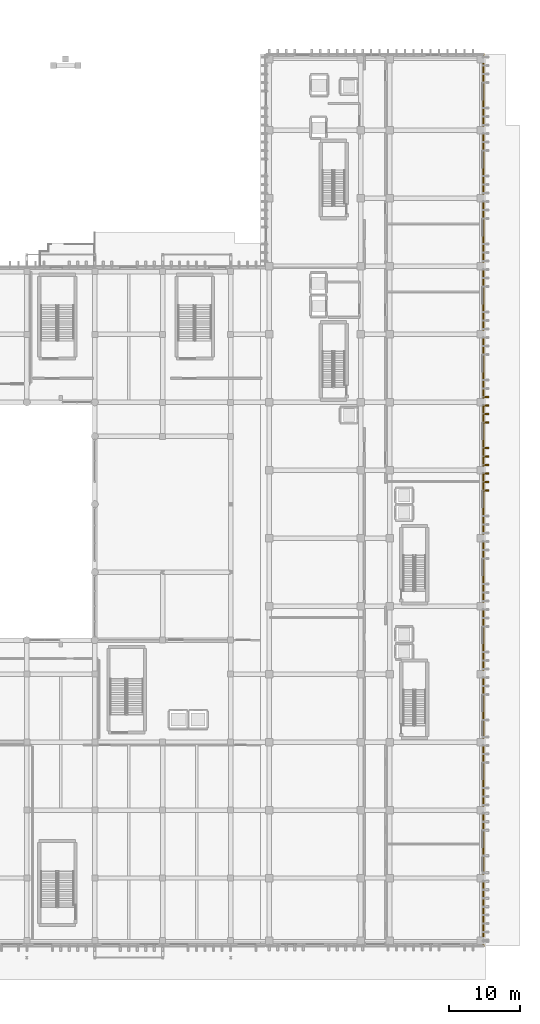
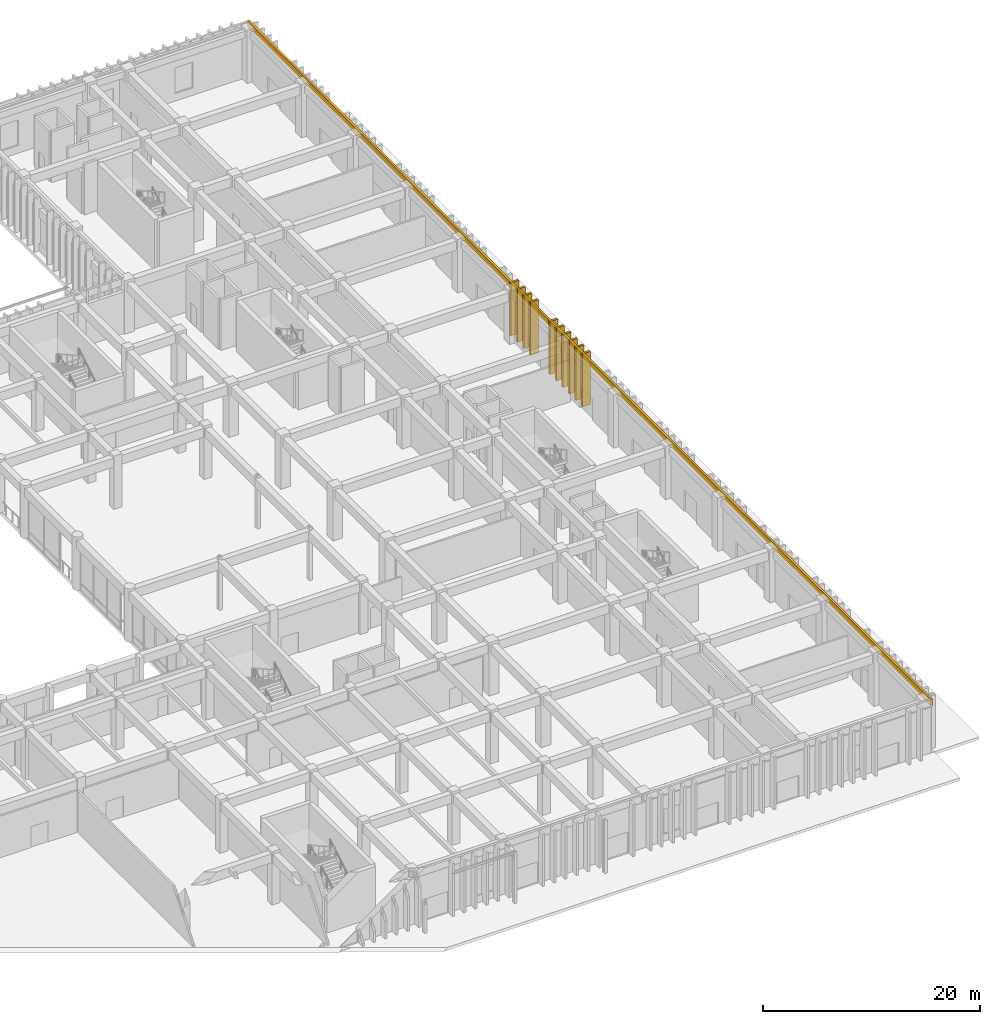
# One storey, part 80 of 87: 11 coverings, 10 shading devices.
"""IFC4 building model written with IfcOpenShell, lengths in metres."""

from ifc_helpers import new_model, si_unit, direction, frame, origin, origin_2d, place, context, subcontext, project, spatial, rectangle, extrude, material, layer, layer_set, type_object, element, save


model = new_model("IFC4")

# Units and contexts
model_context = context("Model", 3, precision=1e-05, world=origin(), true_north=direction((0.0, 1.0)))
body_context = subcontext(model_context, "Body", "Model", "MODEL_VIEW")
ifc_project = project(units=[si_unit("LENGTHUNIT", "METRE"), si_unit("AREAUNIT", "SQUARE_METRE"), si_unit("VOLUMEUNIT", "CUBIC_METRE"), si_unit("PLANEANGLEUNIT", "RADIAN"), si_unit("MASSUNIT", "GRAM", prefix="KILO")], contexts=[model_context])

# Site, building, storey
site_placement = place(None, origin())
site = spatial("IfcSite", under=ifc_project, at=site_placement, CompositionType="ELEMENT")
building_placement = place(site_placement, origin())
building = spatial("IfcBuilding", under=site, at=building_placement, Name="Nakhvara Creek Congress Hotel", CompositionType="ELEMENT")
storey_placement = place(building_placement, origin())
storey = spatial("IfcBuildingStorey", under=building, at=storey_placement, Name="L00", CompositionType="ELEMENT", Elevation=0.0)

# Coverings
ifc_material_1 = material(Name="Honed pale Omani limestone architectural cladding", Category="masonry")
ifc_layer_1 = layer(ifc_material_1, 0.219970703125)
ifc_layer_set_1 = layer_set([ifc_layer_1], Name="Honed pale Omani limestone architectural cladding")
covering_type_1 = type_object("IfcCoveringType", Name="COV-FIN-850", PredefinedType="CLADDING", material=ifc_layer_set_1)
for number, where, z_axis, x_axis, name in (
    (1, (180.054931640625, 64.35009765625, 0.0), (0.0, 0.0, 1.0), (0.0, 1.0, 0.0), "Pale Limestone Fin Cladding CF01-0572"),
    (2, (180.054931640625, 65.550048828125, 0.0), (0.0, 0.0, 1.0), (0.0, 1.0, 0.0), "Pale Limestone Fin Cladding CF01-0573"),
    (3, (180.054931640625, 66.75, 0.0), (0.0, 0.0, 1.0), (0.0, 1.0, 0.0), "Pale Limestone Fin Cladding CF01-0574"),
    (4, (180.054931640625, 67.949951171875, 0.0), (0.0, 0.0, 1.0), (0.0, 1.0, 0.0), "Pale Limestone Fin Cladding CF01-0575"),
    (5, (180.054931640625, 69.14990234375, 0.0), (0.0, 0.0, 1.0), (0.0, 1.0, 0.0), "Pale Limestone Fin Cladding CF01-0576"),
    (6, (180.054931640625, 70.35009765625, 0.0), (0.0, 0.0, 1.0), (0.0, 1.0, 0.0), "Pale Limestone Fin Cladding CF01-0577"),
    (7, (180.054931640625, 73.949951171875, 0.0), (0.0, 0.0, 1.0), (0.0, 1.0, 0.0), "Pale Limestone Fin Cladding CF01-0578"),
    (8, (180.054931640625, 75.14990234375, 0.0), (0.0, 0.0, 1.0), (0.0, 1.0, 0.0), "Pale Limestone Fin Cladding CF01-0579"),
    (9, (180.054931640625, 76.35009765625, 0.0), (0.0, 0.0, 1.0), (0.0, 1.0, 0.0), "Pale Limestone Fin Cladding CF01-0580"),
    (10, (180.054931640625, 77.550048828125, 0.0), (0.0, 0.0, 1.0), (0.0, 1.0, 0.0), "Pale Limestone Fin Cladding CF01-0581"),
):
    element("IfcCovering", number, at=place(storey_placement, frame(where, z_axis=z_axis, x_axis=x_axis)), inside=storey, type_object=covering_type_1, Name=name, PredefinedType="CLADDING", context=body_context, shape_type="SweptSolid", body=[
        extrude(rectangle(XDim=0.219970703125, YDim=0.85009765625, at=origin_2d()), origin(), (0.0, 0.0, 1.0), 5.9599609375),
    ])
ifc_layer_2 = layer(ifc_material_1, 0.179931640625)
ifc_layer_set_2 = layer_set([ifc_layer_2], Name="Honed pale Omani limestone architectural cladding")
covering_type_2 = type_object("IfcCoveringType", Name="COV-SPN-180", PredefinedType="CLADDING", material=ifc_layer_set_2)
covering_placement = place(storey_placement, frame((179.739990234375, 63.0, 5.31005859375), z_axis=(0.0, 0.0, 1.0), x_axis=(0.0, 1.0, 0.0)))
element("IfcCovering", 11, at=covering_placement, inside=storey, type_object=covering_type_2, Name="Pale Limestone Spandrel Band CF02-0041", PredefinedType="CLADDING", context=body_context, shape_type="SweptSolid", body=[
    extrude(rectangle(XDim=126.0, YDim=0.219970703125, at=origin_2d()), origin(), (0.0, 0.0, 1.0), 0.72998046875),
])

# Shading devices
ifc_material_2 = material(Name="Honed pale Omani limestone cladding on stainless steel spine", Category="masonry")
shading_device_type = type_object("IfcShadingDeviceType", Name="SHD-FIN-850X5800", PredefinedType="USERDEFINED", material=ifc_material_2)
for number, where, z_axis, x_axis, name in (
    (12, (180.054931640625, 64.35009765625, 0.0), (0.0, 0.0, 1.0), (0.0, 1.0, 0.0), "Limestone Solar Fin FN03-0437"),
    (13, (180.054931640625, 65.550048828125, 0.0), (0.0, 0.0, 1.0), (0.0, 1.0, 0.0), "Limestone Solar Fin FN03-0438"),
    (14, (180.054931640625, 66.75, 0.0), (0.0, 0.0, 1.0), (0.0, 1.0, 0.0), "Limestone Solar Fin FN03-0439"),
    (15, (180.054931640625, 67.949951171875, 0.0), (0.0, 0.0, 1.0), (0.0, 1.0, 0.0), "Limestone Solar Fin FN03-0440"),
    (16, (180.054931640625, 69.14990234375, 0.0), (0.0, 0.0, 1.0), (0.0, 1.0, 0.0), "Limestone Solar Fin FN03-0441"),
    (17, (180.054931640625, 70.35009765625, 0.0), (0.0, 0.0, 1.0), (0.0, 1.0, 0.0), "Limestone Solar Fin FN03-0442"),
    (18, (180.054931640625, 73.949951171875, 0.0), (0.0, 0.0, 1.0), (0.0, 1.0, 0.0), "Limestone Solar Fin FN03-0443"),
    (19, (180.054931640625, 75.14990234375, 0.0), (0.0, 0.0, 1.0), (0.0, 1.0, 0.0), "Limestone Solar Fin FN03-0444"),
    (20, (180.054931640625, 76.35009765625, 0.0), (0.0, 0.0, 1.0), (0.0, 1.0, 0.0), "Limestone Solar Fin FN03-0445"),
    (21, (180.054931640625, 77.550048828125, 0.0), (0.0, 0.0, 1.0), (0.0, 1.0, 0.0), "Limestone Solar Fin FN03-0446"),
):
    element("IfcShadingDevice", number, at=place(storey_placement, frame(where, z_axis=z_axis, x_axis=x_axis)), inside=storey, type_object=shading_device_type, Name=name, ObjectType="FIN", PredefinedType="USERDEFINED", context=body_context, shape_type="SweptSolid", body=[
        extrude(rectangle(XDim=0.219970703125, YDim=0.85009765625, at=origin_2d()), origin(), (0.0, 0.0, 1.0), 5.9599609375),
    ])

save(model, "model.ifc")
